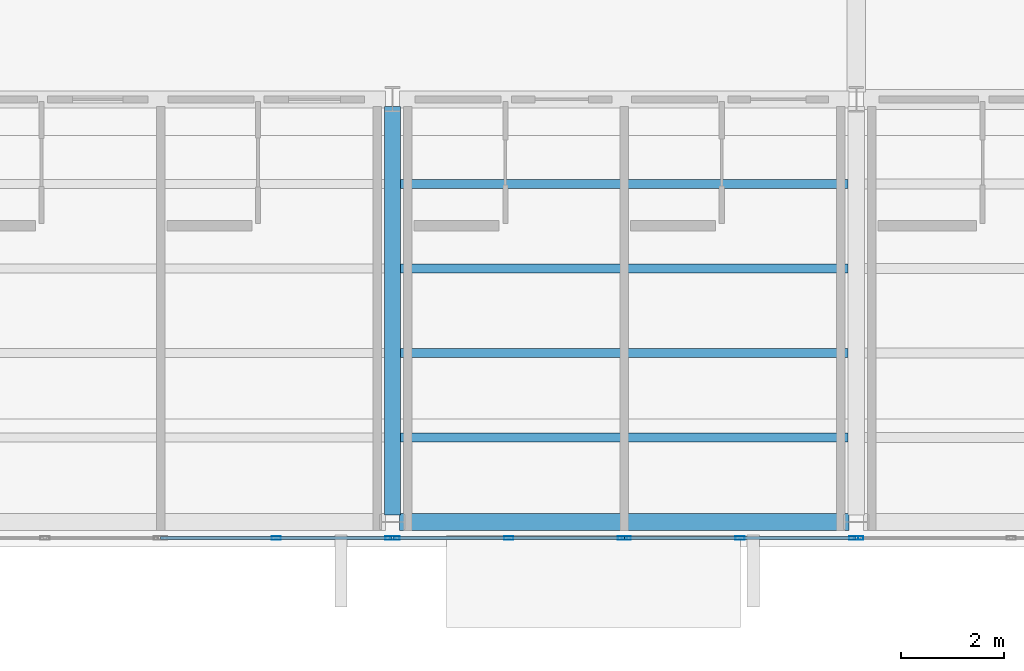
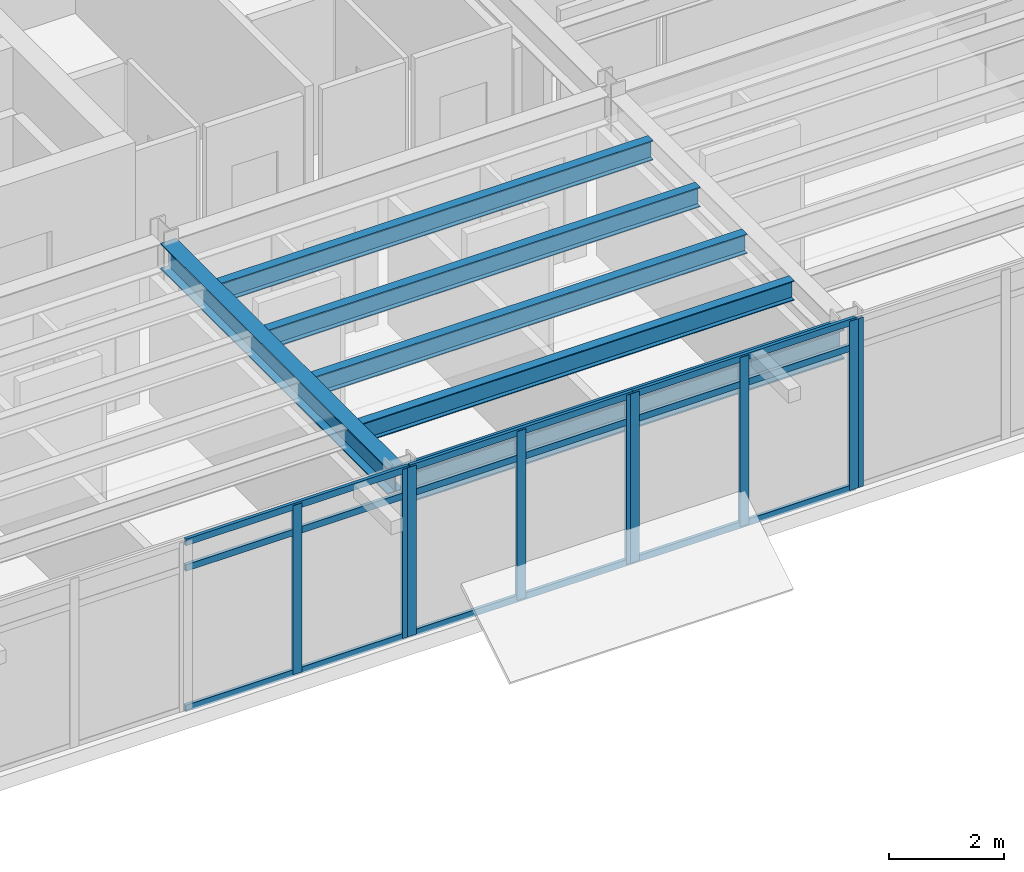
# One storey, part 6 of 19: 18 members, 6 beams, 4 elements without a shape of their own.
"""IFC4 building model written with IfcOpenShell, lengths in metres."""

import ifcopenshell
import ifcopenshell.guid

model = None  # the IFC model being written
_history = None  # IfcOwnerHistory: only IFC2X3 demands one
_inside = {}  # id of a spatial element -> (the spatial element, [elements in it])
_under = {}  # id of a project, library or spatial element -> (it, [spatial elements below it])
_declared = {}  # id of a project -> (the project, [libraries it declares])
_typed = {}  # id of a type object -> (the type object, [elements of that type])
_made_of = {}  # id of a material, layer set ... -> (it, [elements and type objects made of it])


def new_model(schema):
    """Start an empty IFC model of exactly this schema.

    Asked for "IFC4X3", IfcOpenShell would pick the latest addendum, in which some entities
    have other attributes; the version numbers below select the first issue.
    IFC2X3 requires an IfcOwnerHistory on every rooted entity: one is made here for all.
    """
    global model, _history
    if schema == "IFC4X3":
        model = ifcopenshell.file(schema_version=(4, 3, 0, 0))
    else:
        model = ifcopenshell.file(schema=schema)
    _inside.clear()
    _under.clear()
    _declared.clear()
    _typed.clear()
    _made_of.clear()
    _history = None
    if model.schema == "IFC2X3":
        org = make("IfcOrganization", Name="unknown")
        user = make(
            "IfcPersonAndOrganization",
            ThePerson=make("IfcPerson", FamilyName="unknown"),
            TheOrganization=org,
        )
        app = make(
            "IfcApplication",
            ApplicationDeveloper=org,
            Version="unknown",
            ApplicationFullName="unknown",
            ApplicationIdentifier="unknown",
        )
        _history = make(
            "IfcOwnerHistory",
            OwningUser=user,
            OwningApplication=app,
            ChangeAction="ADDED",
            CreationDate=0,
        )
    return model


def make(cls, **values):
    """One entity of the class cls with the attributes given. An attribute that is None is left unset."""
    return model.create_entity(
        cls, **{name: value for name, value in values.items() if value is not None}
    )


def rooted(cls, **values):
    """An entity with a GlobalId (a new one), such as an element, a storey or a relation."""
    return make(cls, GlobalId=ifcopenshell.guid.new(), OwnerHistory=_history, **values)


def si_unit(unit_type, name, prefix=None):
    """IfcSIUnit, for example si_unit("LENGTHUNIT", "METRE", prefix="MILLI")."""
    return make("IfcSIUnit", UnitType=unit_type, Prefix=prefix, Name=name)


def assignment(units):
    """IfcUnitAssignment: the units of a project."""
    return None if units is None else make("IfcUnitAssignment", Units=units)


def point(xyz):
    """IfcCartesianPoint."""
    return None if xyz is None else make("IfcCartesianPoint", Coordinates=xyz)


def direction(xyz):
    """IfcDirection."""
    return None if xyz is None else make("IfcDirection", DirectionRatios=xyz)


def frame(location, z_axis=None, x_axis=None):
    """IfcAxis2Placement3D, a coordinate frame: its origin and axes. An axis left out is left unset."""
    return make(
        "IfcAxis2Placement3D",
        Location=point(location),
        Axis=direction(z_axis),
        RefDirection=direction(x_axis),
    )


def frame_2d(location, x_axis=None):
    """IfcAxis2Placement2D, a coordinate frame in the plane: its origin and x axis."""
    return make(
        "IfcAxis2Placement2D", Location=point(location), RefDirection=direction(x_axis)
    )


def origin():
    """The frame at (0, 0, 0) with its axes left unset."""
    return frame((0.0, 0.0, 0.0))


def origin_2d():
    """The frame at (0, 0) in the plane with its x axis left unset."""
    return frame_2d((0.0, 0.0))


def place(relative_to, where):
    """IfcLocalPlacement: puts the frame where relative to a parent placement (None: the world)."""
    return make(
        "IfcLocalPlacement", PlacementRelTo=relative_to, RelativePlacement=where
    )


def context(
    kind, dimensions, precision=None, world=None, true_north=None, identifier=None
):
    """IfcGeometricRepresentationContext, for example the 3D "Model" context."""
    return make(
        "IfcGeometricRepresentationContext",
        ContextIdentifier=identifier,
        ContextType=kind,
        CoordinateSpaceDimension=dimensions,
        Precision=precision,
        WorldCoordinateSystem=world,
        TrueNorth=true_north,
    )


def subcontext(parent, identifier, kind, view, scale=None):
    """IfcGeometricRepresentationSubContext, for example "Body" below "Model"."""
    return make(
        "IfcGeometricRepresentationSubContext",
        ContextIdentifier=identifier,
        ContextType=kind,
        ParentContext=parent,
        TargetScale=scale,
        TargetView=view,
    )


def project(units=None, contexts=None):
    """IfcProject with its units and contexts."""
    return rooted(
        "IfcProject",
        Name="project",
        RepresentationContexts=contexts,
        UnitsInContext=assignment(units),
    )


def spatial(cls, under=None, at=None, **own):
    """A site, building, storey or space (cls), placed at a placement, below another one or the project."""
    s = rooted(cls, ObjectPlacement=at, **own)
    if under is not None:
        _under.setdefault(under.id(), (under, []))[1].append(s)
    return s


def profile(cls, at=None, kind="AREA", **sizes):
    """A parametric profile (cls). Its sizes go by their IFC names, for example OverallWidth=200.0."""
    return make(cls, ProfileType=kind, Position=at, **sizes)


def hollow_rectangle(**sizes):
    """IfcRectangleHollowProfileDef."""
    return profile("IfcRectangleHollowProfileDef", **sizes)


def i_section(**sizes):
    """IfcIShapeProfileDef."""
    return profile("IfcIShapeProfileDef", **sizes)


def extrude(swept, where, along, depth):
    """IfcExtrudedAreaSolid: the profile swept, set in the frame where, extruded along a direction by depth."""
    return make(
        "IfcExtrudedAreaSolid",
        SweptArea=swept,
        Position=where,
        ExtrudedDirection=direction(along),
        Depth=depth,
    )


def shape(context_of_items, identifier, shape_type, items):
    """IfcShapeRepresentation: the items that make up one representation, for example the "Body"."""
    return make(
        "IfcShapeRepresentation",
        ContextOfItems=context_of_items,
        RepresentationIdentifier=identifier,
        RepresentationType=shape_type,
        Items=items,
    )


def material(Name=None, Category=None):
    """IfcMaterial."""
    return make("IfcMaterial", Name=Name, Category=Category)


def layer(
    of_material, thickness, ventilated=None, Name=None, Category=None, Priority=None
):
    """IfcMaterialLayer: one layer of a wall or slab, of a material (None: an air gap)."""
    return make(
        "IfcMaterialLayer",
        Material=of_material,
        LayerThickness=thickness,
        IsVentilated=ventilated,
        Name=Name,
        Category=Category,
        Priority=Priority,
    )


def layer_set(layers, Name=None):
    """IfcMaterialLayerSet."""
    return make("IfcMaterialLayerSet", MaterialLayers=layers, LayerSetName=Name)


def material_profile(
    of_material, cross_section, Name=None, Category=None, Priority=None
):
    """IfcMaterialProfile: a cross section and its material."""
    return make(
        "IfcMaterialProfile",
        Name=Name,
        Material=of_material,
        Profile=cross_section,
        Priority=Priority,
        Category=Category,
    )


def profile_set(profiles, Name=None, composite=None):
    """IfcMaterialProfileSet."""
    return make(
        "IfcMaterialProfileSet",
        Name=Name,
        MaterialProfiles=profiles,
        CompositeProfile=composite,
    )


def made_of(thing, what):
    """Note that an element or type object is made of a material, layer set ...; save() writes the relation."""
    if what is not None:
        _made_of.setdefault(what.id(), (what, []))[1].append(thing)
    return thing


def type_object(cls, material=None, **own):
    """A type object (cls), such as IfcWallType, which elements share."""
    return made_of(rooted(cls, **own), material)


def element(
    cls,
    number,
    at=None,
    inside=None,
    cuts=None,
    type_object=None,
    material=None,
    context=None,
    identifier="Body",
    shape_type=None,
    held_by="IfcProductDefinitionShape",
    body=None,
    shapes=None,
    **own,
):
    """One element of the class cls, such as IfcWall. Its Tag is "e" and its number.

    at: its placement. inside: the storey or other place that contains it. cuts: it is an
    opening in that element (IfcRelVoidsElement). A single representation is given by context,
    identifier, shape_type and body (its items); several are given by shapes. held_by: the class
    of the entity that holds the representations. save() writes the other relations.
    """
    e = rooted(cls, Tag="e%d" % number, ObjectPlacement=at, **own)
    if body is not None:
        shapes = [shape(context, identifier, shape_type, body)]
    if shapes is not None:
        e.Representation = make(held_by, Representations=shapes)
    if inside is not None:
        _inside.setdefault(inside.id(), (inside, []))[1].append(e)
    if cuts is not None:
        rooted(
            "IfcRelVoidsElement", RelatingBuildingElement=cuts, RelatedOpeningElement=e
        )
    if type_object is not None:
        _typed.setdefault(type_object.id(), (type_object, []))[1].append(e)
    return made_of(e, material)


def aggregate(whole, parts):
    """IfcRelAggregates: a whole, such as a stair, and the parts it consists of."""
    return rooted("IfcRelAggregates", RelatingObject=whole, RelatedObjects=parts)


def save(model, path):
    """Write the relations noted so far, then the file.

    IfcRelAggregates (storeys below a building ...), IfcRelContainedInSpatialStructure (elements
    in a storey), IfcRelDefinesByType, IfcRelAssociatesMaterial and IfcRelDeclares: one each for
    every whole, place, type object, material and project.
    """
    for whole, parts in _under.values():
        aggregate(whole, parts)
    for where, things in _inside.values():
        rooted(
            "IfcRelContainedInSpatialStructure",
            RelatedElements=things,
            RelatingStructure=where,
        )
    for kind, things in _typed.values():
        rooted("IfcRelDefinesByType", RelatedObjects=things, RelatingType=kind)
    for what, things in _made_of.values():
        rooted("IfcRelAssociatesMaterial", RelatedObjects=things, RelatingMaterial=what)
    for by, libraries in _declared.values():
        rooted("IfcRelDeclares", RelatingContext=by, RelatedDefinitions=libraries)
    model.write(path)


model = new_model("IFC4")

# Units and contexts
model_context = context("Model", 3, precision=1e-05, world=origin(), true_north=direction((0.0, 1.0)))
body_context = subcontext(model_context, "Body", "Model", "MODEL_VIEW")
ifc_project = project(units=[si_unit("LENGTHUNIT", "METRE"), si_unit("AREAUNIT", "SQUARE_METRE"), si_unit("VOLUMEUNIT", "CUBIC_METRE"), si_unit("PLANEANGLEUNIT", "RADIAN"), si_unit("MASSUNIT", "GRAM", prefix="KILO")], contexts=[model_context])

# Site, building, storey
site_placement = place(None, origin())
site = spatial("IfcSite", under=ifc_project, at=site_placement, CompositionType="ELEMENT")
building_placement = place(site_placement, origin())
building = spatial("IfcBuilding", under=site, at=building_placement, Name="Sollismere Congress Hotel", CompositionType="ELEMENT")
storey_placement = place(building_placement, frame((0.0, 0.0, 44.60009765625)))
storey = spatial("IfcBuildingStorey", under=building, at=storey_placement, Name="L11", CompositionType="ELEMENT", Elevation=44.60009765625)

# Beams
ifc_material_1 = material(Name="Steel ASTM A992 Grade 50", Category="steel")
ifc_material_profile_1 = material_profile(ifc_material_1, i_section(OverallWidth=0.31494140625, OverallDepth=0.551025390625, WebThickness=0.01513671875, FlangeThickness=0.0244140625, at=origin_2d()), Name="W21X122")
ifc_profile_set_1 = profile_set([ifc_material_profile_1], Name="Steel ASTM A992 Grade 50")
beam_type_1 = type_object("IfcBeamType", Name="BM-G21H", PredefinedType="BEAM", material=ifc_profile_set_1)
beam_1_placement = place(storey_placement, frame((103.0, 0.139892578125, 3.04931640625), z_axis=(0.0, 1.0, 0.0), x_axis=(-1.0, 0.0, 0.0)))
element("IfcBeam", 1, at=beam_1_placement, inside=storey, type_object=beam_type_1, Name="Beam BM-L11-3765", PredefinedType="BEAM", context=body_context, shape_type="SweptSolid", body=[
    extrude(i_section(OverallWidth=0.31494140625, OverallDepth=0.551025390625, WebThickness=0.01513671875, FlangeThickness=0.0244140625, at=origin_2d()), origin(), (0.0, 0.0, 1.0), 7.920166015625),
])
ifc_material_profile_2 = material_profile(ifc_material_1, i_section(OverallWidth=0.180908203125, OverallDepth=0.4169921875, WebThickness=0.010986328125, FlangeThickness=0.018310546875, at=origin_2d()), Name="W16X57")
ifc_profile_set_2 = profile_set([ifc_material_profile_2], Name="Steel ASTM A992 Grade 50")
beam_type_2 = type_object("IfcBeamType", Name="BM-J16", PredefinedType="JOIST", material=ifc_profile_set_2)
for number, where, z_axis, x_axis, name in (
    (2, (103.157470703125, 1.639892578125, 3.116455078125), (1.0, 0.0, 0.0), (0.0, 1.0, 0.0), "Beam BM-L11-3791"),
    (3, (103.157470703125, 3.280029296875, 3.116455078125), (1.0, 0.0, 0.0), (0.0, 1.0, 0.0), "Beam BM-L11-3792"),
    (4, (103.157470703125, 4.919921875, 3.116455078125), (1.0, 0.0, 0.0), (0.0, 1.0, 0.0), "Beam BM-L11-3793"),
    (5, (103.157470703125, 6.56005859375, 3.116455078125), (1.0, 0.0, 0.0), (0.0, 1.0, 0.0), "Beam BM-L11-3794"),
):
    element("IfcBeam", number, at=place(storey_placement, frame(where, z_axis=z_axis, x_axis=x_axis)), inside=storey, type_object=beam_type_2, Name=name, PredefinedType="JOIST", context=body_context, shape_type="SweptSolid", body=[
        extrude(i_section(OverallWidth=0.180908203125, OverallDepth=0.4169921875, WebThickness=0.010986328125, FlangeThickness=0.018310546875, at=origin_2d()), origin(), (0.0, 0.0, 1.0), 8.68505859375),
    ])
ifc_material_profile_3 = material_profile(ifc_material_1, i_section(OverallWidth=0.330078125, OverallDepth=0.635009765625, WebThickness=0.017822265625, FlangeThickness=0.031005859375, at=origin_2d()), Name="W24X162")
ifc_profile_set_3 = profile_set([ifc_material_profile_3], Name="Steel ASTM A992 Grade 50")
beam_type_3 = type_object("IfcBeamType", Name="BM-SP24E", PredefinedType="SPANDREL", material=ifc_profile_set_3)
beam_2_placement = place(storey_placement, frame((103.139892578125, 0.0, 3.00732421875), z_axis=(1.0, 0.0, 0.0), x_axis=(0.0, 1.0, 0.0)))
element("IfcBeam", 6, at=beam_2_placement, inside=storey, type_object=beam_type_3, Name="Beam BM-L11-3742", PredefinedType="SPANDREL", context=body_context, shape_type="SweptSolid", body=[
    extrude(i_section(OverallWidth=0.330078125, OverallDepth=0.635009765625, WebThickness=0.017822265625, FlangeThickness=0.031005859375, at=origin_2d()), origin(), (0.0, 0.0, 1.0), 8.72021484375),
])

# Curtain wall, members
ifc_material_2 = material(Name="Anodized Bronze Curtain Wall & Low-E Triple Glazing", Category="glass")
ifc_layer = layer(ifc_material_2, 0.199951171875, Name="Anodized Bronze Curtain Wall & Low-E Triple Glazing")
ifc_layer_set = layer_set([ifc_layer], Name="Anodized Bronze Curtain Wall & Low-E Triple Glazing")
curtain_wall_type = type_object("IfcCurtainWallType", Name="CW-GLZ36", PredefinedType="USERDEFINED", material=ifc_layer_set)
curtain_wall_1_placement = place(storey_placement, origin())
curtain_wall_1 = element("IfcCurtainWall", 7, at=curtain_wall_1_placement, inside=storey, type_object=curtain_wall_type, Name="Unitised curtain wall CW-L11-160", ObjectType="UNITISED CURTAIN WALL", PredefinedType="USERDEFINED")
ifc_material_3 = material(Name="Anodized Aluminum 6063-T6", Category="aluminium")
ifc_material_profile_4 = material_profile(ifc_material_3, hollow_rectangle(XDim=0.074951171875, YDim=0.179931640625, WallThickness=0.0048828125, at=origin_2d()), Name="ALU180X75X5")
ifc_profile_set_4 = profile_set([ifc_material_profile_4], Name="Anodized Aluminum 6063-T6")
member_type_1 = type_object("IfcMemberType", Name="ML-CW180", PredefinedType="MULLION", material=ifc_profile_set_4)
member_1_placement = place(storey_placement, frame((100.7451171875, -0.31005859375, 0.0), z_axis=(0.0, 0.0, 1.0), x_axis=(0.0, 1.0, 0.0)))
member_1 = element("IfcMember", 8, at=member_1_placement, type_object=member_type_1, Name="CWL-CW-L11-160-ML02", PredefinedType="MULLION", context=body_context, shape_type="SweptSolid", body=[
    extrude(hollow_rectangle(XDim=0.074951171875, YDim=0.179931640625, WallThickness=0.0048828125, at=origin_2d()), origin(), (0.0, 0.0, 1.0), 3.599853515625),
])
member_2_placement = place(storey_placement, frame((102.951904296875, -0.31005859375, 0.0), z_axis=(0.0, 0.0, 1.0), x_axis=(0.0, 1.0, 0.0)))
member_2 = element("IfcMember", 9, at=member_2_placement, type_object=member_type_1, Name="CWL-CW-L11-160-ML03", PredefinedType="MULLION", context=body_context, shape_type="SweptSolid", body=[
    extrude(hollow_rectangle(XDim=0.074951171875, YDim=0.179931640625, WallThickness=0.0048828125, at=origin_2d()), origin(), (0.0, 0.0, 1.0), 3.599853515625),
])

curtain_wall_2_placement = place(storey_placement, origin())
curtain_wall_2 = element("IfcCurtainWall", 10, at=curtain_wall_2_placement, inside=storey, type_object=curtain_wall_type, Name="Unitised curtain wall CW-L11-161", ObjectType="UNITISED CURTAIN WALL", PredefinedType="USERDEFINED")
member_3_placement = place(storey_placement, frame((103.048095703125, -0.31005859375, 0.0), z_axis=(0.0, 0.0, 1.0), x_axis=(0.0, 1.0, 0.0)))
member_3 = element("IfcMember", 11, at=member_3_placement, type_object=member_type_1, Name="CWL-CW-L11-161-ML01", PredefinedType="MULLION", context=body_context, shape_type="SweptSolid", body=[
    extrude(hollow_rectangle(XDim=0.074951171875, YDim=0.179931640625, WallThickness=0.0048828125, at=origin_2d()), origin(), (0.0, 0.0, 1.0), 3.599853515625),
])
member_4_placement = place(storey_placement, frame((105.2548828125, -0.31005859375, 0.0), z_axis=(0.0, 0.0, 1.0), x_axis=(0.0, 1.0, 0.0)))
member_4 = element("IfcMember", 12, at=member_4_placement, type_object=member_type_1, Name="CWL-CW-L11-161-ML02", PredefinedType="MULLION", context=body_context, shape_type="SweptSolid", body=[
    extrude(hollow_rectangle(XDim=0.074951171875, YDim=0.179931640625, WallThickness=0.0048828125, at=origin_2d()), origin(), (0.0, 0.0, 1.0), 3.599853515625),
])
member_5_placement = place(storey_placement, frame((107.4619140625, -0.31005859375, 0.0), z_axis=(0.0, 0.0, 1.0), x_axis=(0.0, 1.0, 0.0)))
member_5 = element("IfcMember", 13, at=member_5_placement, type_object=member_type_1, Name="CWL-CW-L11-161-ML03", PredefinedType="MULLION", context=body_context, shape_type="SweptSolid", body=[
    extrude(hollow_rectangle(XDim=0.074951171875, YDim=0.179931640625, WallThickness=0.0048828125, at=origin_2d()), origin(), (0.0, 0.0, 1.0), 3.599853515625),
])

curtain_wall_3_placement = place(storey_placement, origin())
curtain_wall_3 = element("IfcCurtainWall", 14, at=curtain_wall_3_placement, inside=storey, type_object=curtain_wall_type, Name="Unitised curtain wall CW-L11-162", ObjectType="UNITISED CURTAIN WALL", PredefinedType="USERDEFINED")
member_6_placement = place(storey_placement, frame((107.5380859375, -0.31005859375, 0.0), z_axis=(0.0, 0.0, 1.0), x_axis=(0.0, 1.0, 0.0)))
member_6 = element("IfcMember", 15, at=member_6_placement, type_object=member_type_1, Name="CWL-CW-L11-162-ML01", PredefinedType="MULLION", context=body_context, shape_type="SweptSolid", body=[
    extrude(hollow_rectangle(XDim=0.074951171875, YDim=0.179931640625, WallThickness=0.0048828125, at=origin_2d()), origin(), (0.0, 0.0, 1.0), 3.599853515625),
])
member_7_placement = place(storey_placement, frame((109.7451171875, -0.31005859375, 0.0), z_axis=(0.0, 0.0, 1.0), x_axis=(0.0, 1.0, 0.0)))
member_7 = element("IfcMember", 16, at=member_7_placement, type_object=member_type_1, Name="CWL-CW-L11-162-ML02", PredefinedType="MULLION", context=body_context, shape_type="SweptSolid", body=[
    extrude(hollow_rectangle(XDim=0.074951171875, YDim=0.179931640625, WallThickness=0.0048828125, at=origin_2d()), origin(), (0.0, 0.0, 1.0), 3.599853515625),
])
member_8_placement = place(storey_placement, frame((111.951904296875, -0.31005859375, 0.0), z_axis=(0.0, 0.0, 1.0), x_axis=(0.0, 1.0, 0.0)))
member_8 = element("IfcMember", 17, at=member_8_placement, type_object=member_type_1, Name="CWL-CW-L11-162-ML03", PredefinedType="MULLION", context=body_context, shape_type="SweptSolid", body=[
    extrude(hollow_rectangle(XDim=0.074951171875, YDim=0.179931640625, WallThickness=0.0048828125, at=origin_2d()), origin(), (0.0, 0.0, 1.0), 3.599853515625),
])

# Curtain wall, member
curtain_wall_4_placement = place(storey_placement, origin())
curtain_wall_4 = element("IfcCurtainWall", 18, at=curtain_wall_4_placement, inside=storey, type_object=curtain_wall_type, Name="Unitised curtain wall CW-L11-163", ObjectType="UNITISED CURTAIN WALL", PredefinedType="USERDEFINED")
member_9_placement = place(storey_placement, frame((112.048095703125, -0.31005859375, 0.0), z_axis=(0.0, 0.0, 1.0), x_axis=(0.0, 1.0, 0.0)))
member_9 = element("IfcMember", 19, at=member_9_placement, type_object=member_type_1, Name="CWL-CW-L11-163-ML01", PredefinedType="MULLION", context=body_context, shape_type="SweptSolid", body=[
    extrude(hollow_rectangle(XDim=0.074951171875, YDim=0.179931640625, WallThickness=0.0048828125, at=origin_2d()), origin(), (0.0, 0.0, 1.0), 3.599853515625),
])
aggregate(curtain_wall_4, [member_9])

# Member
ifc_material_profile_5 = material_profile(ifc_material_3, hollow_rectangle(XDim=0.06494140625, YDim=0.139892578125, WallThickness=0.00390625, at=origin_2d()), Name="ALU140X65X4")
ifc_profile_set_5 = profile_set([ifc_material_profile_5], Name="Anodized Aluminum 6063-T6")
member_type_2 = type_object("IfcMemberType", Name="TR-CW150", PredefinedType="MEMBER", material=ifc_profile_set_5)
member_10_placement = place(storey_placement, frame((98.5, -0.31005859375, 0.032470703125), z_axis=(1.0, 0.0, 0.0), x_axis=(0.0, 1.0, 0.0)))
member_10 = element("IfcMember", 20, at=member_10_placement, type_object=member_type_2, Name="CWL-CW-L11-160-TR1", PredefinedType="MEMBER", context=body_context, shape_type="SweptSolid", body=[
    extrude(hollow_rectangle(XDim=0.06494140625, YDim=0.139892578125, WallThickness=0.00390625, at=origin_2d()), origin(), (0.0, 0.0, 1.0), 4.489990234375),
])

member_11_placement = place(storey_placement, frame((98.5, -0.31005859375, 3.02392578125), z_axis=(1.0, 0.0, 0.0), x_axis=(0.0, 1.0, 0.0)))
member_11 = element("IfcMember", 21, at=member_11_placement, type_object=member_type_2, Name="CWL-CW-L11-160-TR2", PredefinedType="MEMBER", context=body_context, shape_type="SweptSolid", body=[
    extrude(hollow_rectangle(XDim=0.06494140625, YDim=0.139892578125, WallThickness=0.00390625, at=origin_2d()), origin(), (0.0, 0.0, 1.0), 4.489990234375),
])

member_12_placement = place(storey_placement, frame((98.5, -0.31005859375, 3.5673828125), z_axis=(1.0, 0.0, 0.0), x_axis=(0.0, 1.0, 0.0)))
member_12 = element("IfcMember", 22, at=member_12_placement, type_object=member_type_2, Name="CWL-CW-L11-160-TR3", PredefinedType="MEMBER", context=body_context, shape_type="SweptSolid", body=[
    extrude(hollow_rectangle(XDim=0.06494140625, YDim=0.139892578125, WallThickness=0.00390625, at=origin_2d()), origin(), (0.0, 0.0, 1.0), 4.489990234375),
])

aggregate(curtain_wall_1, [member_1, member_2, member_10, member_11, member_12])

member_13_placement = place(storey_placement, frame((103.010009765625, -0.31005859375, 0.032470703125), z_axis=(1.0, 0.0, 0.0), x_axis=(0.0, 1.0, 0.0)))
member_13 = element("IfcMember", 23, at=member_13_placement, type_object=member_type_2, Name="CWL-CW-L11-161-TR1", PredefinedType="MEMBER", context=body_context, shape_type="SweptSolid", body=[
    extrude(hollow_rectangle(XDim=0.06494140625, YDim=0.139892578125, WallThickness=0.00390625, at=origin_2d()), origin(), (0.0, 0.0, 1.0), 4.489990234375),
])

member_14_placement = place(storey_placement, frame((103.010009765625, -0.31005859375, 3.02392578125), z_axis=(1.0, 0.0, 0.0), x_axis=(0.0, 1.0, 0.0)))
member_14 = element("IfcMember", 24, at=member_14_placement, type_object=member_type_2, Name="CWL-CW-L11-161-TR2", PredefinedType="MEMBER", context=body_context, shape_type="SweptSolid", body=[
    extrude(hollow_rectangle(XDim=0.06494140625, YDim=0.139892578125, WallThickness=0.00390625, at=origin_2d()), origin(), (0.0, 0.0, 1.0), 4.489990234375),
])

member_15_placement = place(storey_placement, frame((103.010009765625, -0.31005859375, 3.5673828125), z_axis=(1.0, 0.0, 0.0), x_axis=(0.0, 1.0, 0.0)))
member_15 = element("IfcMember", 25, at=member_15_placement, type_object=member_type_2, Name="CWL-CW-L11-161-TR3", PredefinedType="MEMBER", context=body_context, shape_type="SweptSolid", body=[
    extrude(hollow_rectangle(XDim=0.06494140625, YDim=0.139892578125, WallThickness=0.00390625, at=origin_2d()), origin(), (0.0, 0.0, 1.0), 4.489990234375),
])

aggregate(curtain_wall_2, [member_3, member_4, member_5, member_13, member_14, member_15])

member_16_placement = place(storey_placement, frame((107.5, -0.31005859375, 0.032470703125), z_axis=(1.0, 0.0, 0.0), x_axis=(0.0, 1.0, 0.0)))
member_16 = element("IfcMember", 26, at=member_16_placement, type_object=member_type_2, Name="CWL-CW-L11-162-TR1", PredefinedType="MEMBER", context=body_context, shape_type="SweptSolid", body=[
    extrude(hollow_rectangle(XDim=0.06494140625, YDim=0.139892578125, WallThickness=0.00390625, at=origin_2d()), origin(), (0.0, 0.0, 1.0), 4.489990234375),
])

member_17_placement = place(storey_placement, frame((107.5, -0.31005859375, 3.02392578125), z_axis=(1.0, 0.0, 0.0), x_axis=(0.0, 1.0, 0.0)))
member_17 = element("IfcMember", 27, at=member_17_placement, type_object=member_type_2, Name="CWL-CW-L11-162-TR2", PredefinedType="MEMBER", context=body_context, shape_type="SweptSolid", body=[
    extrude(hollow_rectangle(XDim=0.06494140625, YDim=0.139892578125, WallThickness=0.00390625, at=origin_2d()), origin(), (0.0, 0.0, 1.0), 4.489990234375),
])

member_18_placement = place(storey_placement, frame((107.5, -0.31005859375, 3.5673828125), z_axis=(1.0, 0.0, 0.0), x_axis=(0.0, 1.0, 0.0)))
member_18 = element("IfcMember", 28, at=member_18_placement, type_object=member_type_2, Name="CWL-CW-L11-162-TR3", PredefinedType="MEMBER", context=body_context, shape_type="SweptSolid", body=[
    extrude(hollow_rectangle(XDim=0.06494140625, YDim=0.139892578125, WallThickness=0.00390625, at=origin_2d()), origin(), (0.0, 0.0, 1.0), 4.489990234375),
])

aggregate(curtain_wall_3, [member_6, member_7, member_8, member_16, member_17, member_18])

save(model, "model.ifc")
